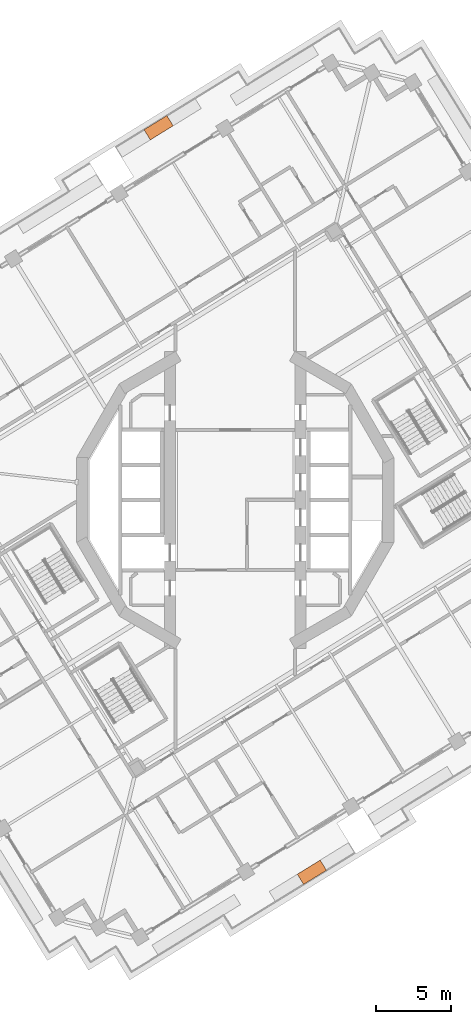
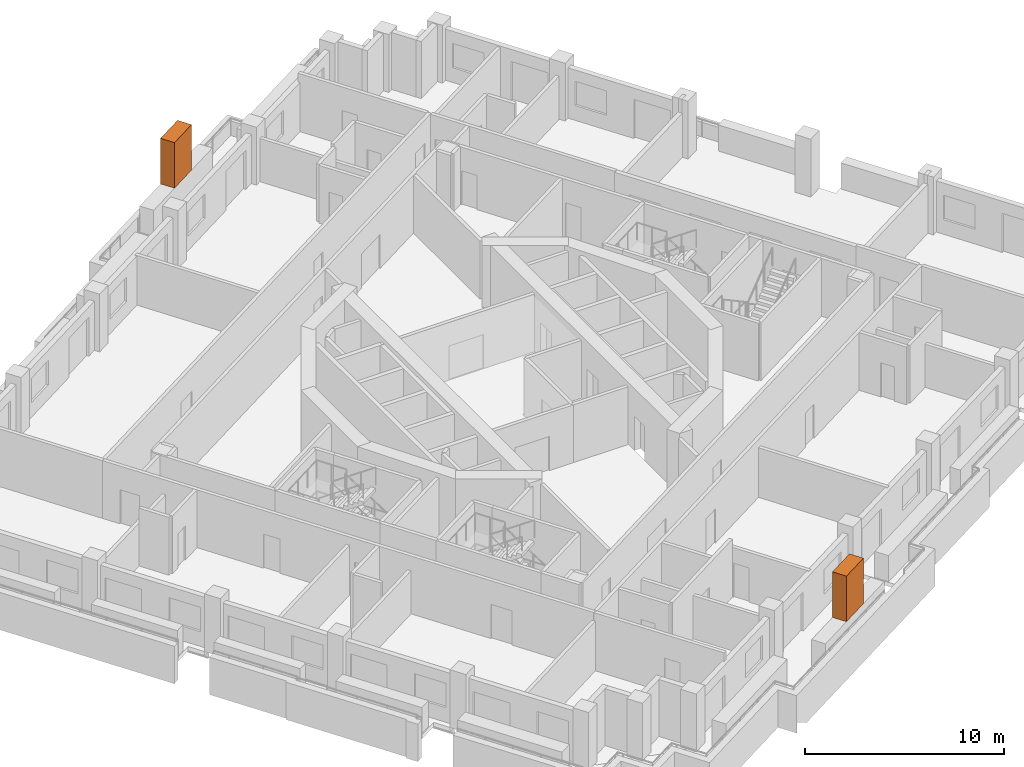
# One storey, part 20 of 20: 2 proxies.
"""IFC4 building model written with IfcOpenShell, lengths in metres."""

from ifc_helpers import new_model, si_unit, direction, frame, origin, origin_2d, place, context, subcontext, project, spatial, rectangle, extrude, element, save


model = new_model("IFC4")

# Units and contexts
model_context = context("Model", 3, precision=1e-05, world=origin(), true_north=direction((0.0, 1.0)))
body_context = subcontext(model_context, "Body", "Model", "MODEL_VIEW")
ifc_project = project(units=[si_unit("LENGTHUNIT", "METRE"), si_unit("AREAUNIT", "SQUARE_METRE"), si_unit("VOLUMEUNIT", "CUBIC_METRE"), si_unit("PLANEANGLEUNIT", "RADIAN"), si_unit("MASSUNIT", "GRAM", prefix="KILO")], contexts=[model_context])

# Site, building, storey
site_placement = place(None, origin())
site = spatial("IfcSite", under=ifc_project, at=site_placement, CompositionType="ELEMENT")
building_placement = place(site_placement, origin())
building = spatial("IfcBuilding", under=site, at=building_placement, Name="Cantera Rosa Tower", CompositionType="ELEMENT")
storey_placement = place(building_placement, frame((0.0, 0.0, 181.800048828125)))
storey = spatial("IfcBuildingStorey", under=building, at=storey_placement, Name="L40", CompositionType="ELEMENT", Elevation=181.800048828125)

# Proxies
for number, where, z_axis, x_axis, name in (
    (1, (-5.13427734375, 24.93408203125, 1.60009765625), (0.0, 0.0, 1.0), (-0.851116672434, -0.52497658034, 0.0), "TREE L40-07"),
    (2, (5.13427734375, -24.93408203125, 1.60009765625), (0.0, 0.0, 1.0), (0.851116672434, 0.52497658034, 0.0), "TREE L40-17"),
):
    element("IfcBuildingElementProxy", number, at=place(storey_placement, frame(where, z_axis=z_axis, x_axis=x_axis)), inside=storey, Name=name, ObjectType="TREE", PredefinedType="USERDEFINED", context=body_context, shape_type="SweptSolid", body=[
        extrude(rectangle(XDim=1.800048828125, YDim=0.800048828125, at=origin_2d()), origin(), (0.0, 0.0, 1.0), 2.800048828125),
    ])

save(model, "model.ifc")
